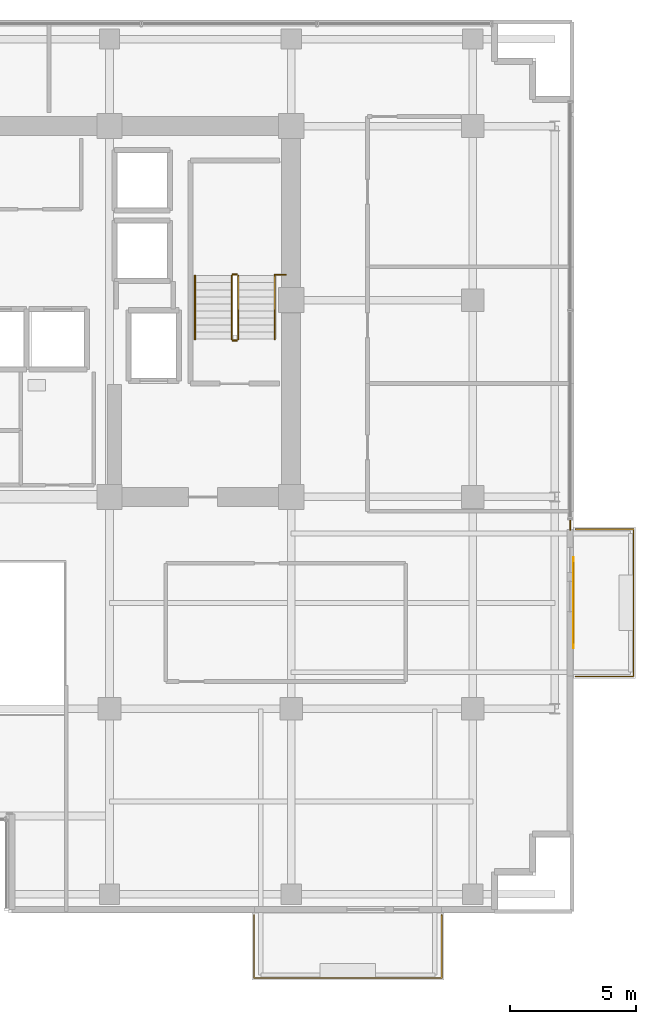
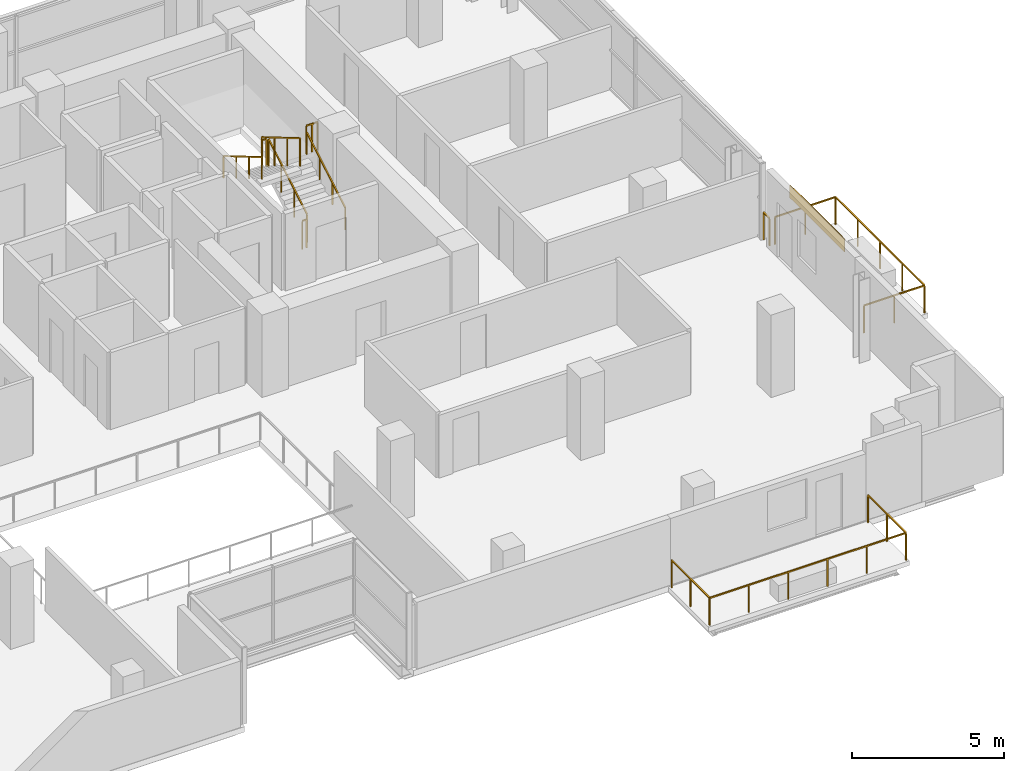
# One storey, part 24 of 25: 10 railings, 1 covering, 1 shading device.
"""IFC4 building model written with IfcOpenShell, lengths in metres."""

from ifc_helpers import new_model, si_unit, direction, frame, origin, origin_2d, place, context, subcontext, project, spatial, rectangle, extrude, source, transform, mapped, material, layer, layer_set, type_object, element, save


model = new_model("IFC4")

# Units and contexts
model_context = context("Model", 3, precision=1e-05, world=origin(), true_north=direction((0.0, 1.0)))
body_context = subcontext(model_context, "Body", "Model", "MODEL_VIEW")
ifc_project = project(units=[si_unit("LENGTHUNIT", "METRE"), si_unit("AREAUNIT", "SQUARE_METRE"), si_unit("VOLUMEUNIT", "CUBIC_METRE"), si_unit("PLANEANGLEUNIT", "RADIAN"), si_unit("MASSUNIT", "GRAM", prefix="KILO")], contexts=[model_context])

# Site, building, storey
site_placement = place(None, origin())
site = spatial("IfcSite", under=ifc_project, at=site_placement, CompositionType="ELEMENT")
building_placement = place(site_placement, origin())
building = spatial("IfcBuilding", under=site, at=building_placement, Name="Zarnakvel Exchange Tower", CompositionType="ELEMENT")
storey_placement = place(building_placement, frame((0.0, 0.0, 93.39990234375)))
storey = spatial("IfcBuildingStorey", under=building, at=storey_placement, Name="L25", CompositionType="ELEMENT", Elevation=93.39990234375)

# Railings
ifc_material_1 = material(Name="Architectural Bronze Anodised Aluminium", Category="aluminium")
railing_type_1 = type_object("IfcRailingType", Name="GR-02", PredefinedType="GUARDRAIL", material=ifc_material_1)
railing_1_placement = place(storey_placement, frame((12.929931640625, -17.780029296875, -0.034912109375)))
element("IfcRailing", 1, at=railing_1_placement, inside=storey, type_object=railing_type_1, Name="L25 Balcony Guardrail BAL-L25-SE", PredefinedType="GUARDRAIL", context=body_context, shape_type="SweptSolid", body=[
    extrude(rectangle(XDim=0.048095703125, YDim=0.048095703125, at=origin_2d()), frame((0.0, 0.0, 1.09619140625), z_axis=(0.0, -1.0, 0.0), x_axis=(1.0, 0.0, 0.0)), (0.0, 0.0, 1.0), 2.489990234375),
    extrude(rectangle(XDim=0.048095703125, YDim=0.048095703125, at=origin_2d()), frame((0.0, -2.489990234375, 1.09619140625), z_axis=(1.0, 0.0, 0.0), x_axis=(0.0, 1.0, 0.0)), (0.0, 0.0, 1.0), 7.440185546875),
    extrude(rectangle(XDim=0.048095703125, YDim=0.048095703125, at=origin_2d()), frame((7.440185546875, -2.489990234375, 1.09619140625), z_axis=(0.0, 1.0, 0.0), x_axis=(-1.0, 0.0, 0.0)), (0.0, 0.0, 1.0), 2.489990234375),
    extrude(rectangle(XDim=0.0419921875, YDim=0.0419921875, at=origin_2d()), origin(), (0.0, 0.0, 1.0), 1.072021484375),
    extrude(rectangle(XDim=0.0419921875, YDim=0.0419921875, at=origin_2d()), frame((0.0, -1.2451171875, 0.0)), (0.0, 0.0, 1.0), 1.072021484375),
    extrude(rectangle(XDim=0.0419921875, YDim=0.0419921875, at=origin_2d()), frame((0.0, -2.489990234375, 0.0)), (0.0, 0.0, 1.0), 1.072021484375),
    extrude(rectangle(XDim=0.0419921875, YDim=0.0419921875, at=origin_2d()), frame((1.488037109375, -2.489990234375, 0.0)), (0.0, 0.0, 1.0), 1.072021484375),
    extrude(rectangle(XDim=0.0419921875, YDim=0.0419921875, at=origin_2d()), frame((2.97607421875, -2.489990234375, 0.0)), (0.0, 0.0, 1.0), 1.072021484375),
    extrude(rectangle(XDim=0.0419921875, YDim=0.0419921875, at=origin_2d()), frame((4.464111328125, -2.489990234375, 0.0)), (0.0, 0.0, 1.0), 1.072021484375),
    extrude(rectangle(XDim=0.0419921875, YDim=0.0419921875, at=origin_2d()), frame((5.9521484375, -2.489990234375, 0.0)), (0.0, 0.0, 1.0), 1.072021484375),
    extrude(rectangle(XDim=0.0419921875, YDim=0.0419921875, at=origin_2d()), frame((7.440185546875, -2.489990234375, 0.0)), (0.0, 0.0, 1.0), 1.072021484375),
    extrude(rectangle(XDim=0.0419921875, YDim=0.0419921875, at=origin_2d()), frame((7.440185546875, -1.2451171875, 0.0)), (0.0, 0.0, 1.0), 1.072021484375),
    extrude(rectangle(XDim=0.0419921875, YDim=0.0419921875, at=origin_2d()), frame((7.440185546875, 0.0, 0.0)), (0.0, 0.0, 1.0), 1.072021484375),
])
railing_2_placement = place(storey_placement, frame((25.679931640625, -8.320068359375, -0.034912109375)))
element("IfcRailing", 2, at=railing_2_placement, inside=storey, type_object=railing_type_1, Name="L25 Balcony Guardrail BAL-L25-E", PredefinedType="GUARDRAIL", context=body_context, shape_type="SweptSolid", body=[
    extrude(rectangle(XDim=0.048095703125, YDim=0.048095703125, at=origin_2d()), frame((0.0, 0.0, 1.09619140625), z_axis=(1.0, 0.0, 0.0), x_axis=(0.0, 1.0, 0.0)), (0.0, 0.0, 1.0), 2.2900390625),
    extrude(rectangle(XDim=0.048095703125, YDim=0.048095703125, at=origin_2d()), frame((2.2900390625, 0.0, 1.09619140625), z_axis=(0.0, 1.0, 0.0), x_axis=(-1.0, 0.0, 0.0)), (0.0, 0.0, 1.0), 5.840087890625),
    extrude(rectangle(XDim=0.048095703125, YDim=0.048095703125, at=origin_2d()), frame((2.2900390625, 5.840087890625, 1.09619140625), z_axis=(-1.0, 0.0, 0.0), x_axis=(0.0, -1.0, 0.0)), (0.0, 0.0, 1.0), 2.2900390625),
    extrude(rectangle(XDim=0.0419921875, YDim=0.0419921875, at=origin_2d()), origin(), (0.0, 0.0, 1.0), 1.072021484375),
    extrude(rectangle(XDim=0.0419921875, YDim=0.0419921875, at=origin_2d()), frame((1.14501953125, 0.0, 0.0)), (0.0, 0.0, 1.0), 1.072021484375),
    extrude(rectangle(XDim=0.0419921875, YDim=0.0419921875, at=origin_2d()), frame((2.2900390625, 0.0, 0.0)), (0.0, 0.0, 1.0), 1.072021484375),
    extrude(rectangle(XDim=0.0419921875, YDim=0.0419921875, at=origin_2d()), frame((2.2900390625, 1.4599609375, 0.0)), (0.0, 0.0, 1.0), 1.072021484375),
    extrude(rectangle(XDim=0.0419921875, YDim=0.0419921875, at=origin_2d()), frame((2.2900390625, 2.919921875, 0.0)), (0.0, 0.0, 1.0), 1.072021484375),
    extrude(rectangle(XDim=0.0419921875, YDim=0.0419921875, at=origin_2d()), frame((2.2900390625, 4.380126953125, 0.0)), (0.0, 0.0, 1.0), 1.072021484375),
    extrude(rectangle(XDim=0.0419921875, YDim=0.0419921875, at=origin_2d()), frame((2.2900390625, 5.840087890625, 0.0)), (0.0, 0.0, 1.0), 1.072021484375),
    extrude(rectangle(XDim=0.0419921875, YDim=0.0419921875, at=origin_2d()), frame((1.14501953125, 5.840087890625, 0.0)), (0.0, 0.0, 1.0), 1.072021484375),
    extrude(rectangle(XDim=0.0419921875, YDim=0.0419921875, at=origin_2d()), frame((0.0, 5.840087890625, 0.0)), (0.0, 0.0, 1.0), 1.072021484375),
])
railing_3_placement = place(storey_placement, frame((25.4599609375, -2.10009765625, 0.0)))
element("IfcRailing", 3, at=railing_3_placement, inside=storey, type_object=railing_type_1, Name="L25 Corner Spandrel Balustrade #9", PredefinedType="GUARDRAIL", context=body_context, shape_type="SweptSolid", body=[
    extrude(rectangle(XDim=0.048095703125, YDim=0.048095703125, at=origin_2d()), frame((0.0, 0.0, 1.09619140625), z_axis=(0.0, -1.0, 0.0), x_axis=(1.0, 0.0, 0.0)), (0.0, 0.0, 1.0), 0.39990234375),
    extrude(rectangle(XDim=0.0419921875, YDim=0.0419921875, at=origin_2d()), origin(), (0.0, 0.0, 1.0), 1.072021484375),
    extrude(rectangle(XDim=0.0419921875, YDim=0.0419921875, at=origin_2d()), frame((0.0, -0.39990234375, 0.0)), (0.0, 0.0, 1.0), 1.072021484375),
])
ifc_material_2 = material(Name="Brushed Stainless Steel", Category="steel")
railing_type_2 = type_object("IfcRailingType", Name="HR-01", PredefinedType="HANDRAIL", material=ifc_material_2)
railing_4_placement = place(storey_placement, frame((13.75, 5.050048828125, 0.1650390625)))
element("IfcRailing", 4, at=railing_4_placement, inside=storey, type_object=railing_type_2, Name="L25 ST-02 stair handrail 1", PredefinedType="HANDRAIL", context=body_context, shape_type="SweptSolid", body=[
    extrude(rectangle(XDim=0.048095703125, YDim=0.048095703125, at=origin_2d()), frame((0.0, 0.0, 0.8759765625), z_axis=(0.0, 0.86152411907, 0.507716645641), x_axis=(-1.0, 0.0, 0.0)), (0.0, 0.0, 1.0), 2.925048828125),
    extrude(rectangle(XDim=0.0419921875, YDim=0.0419921875, at=origin_2d()), origin(), (0.0, 0.0, 1.0), 0.851806640625),
    extrude(rectangle(XDim=0.0419921875, YDim=0.0419921875, at=origin_2d()), frame((0.0, 0.840087890625, 0.4951171875)), (0.0, 0.0, 1.0), 0.851806640625),
    extrude(rectangle(XDim=0.0419921875, YDim=0.0419921875, at=origin_2d()), frame((0.0, 1.679931640625, 0.989990234375)), (0.0, 0.0, 1.0), 0.851806640625),
    extrude(rectangle(XDim=0.0419921875, YDim=0.0419921875, at=origin_2d()), frame((0.0, 2.52001953125, 1.485107421875)), (0.0, 0.0, 1.0), 0.851806640625),
])
railing_5_placement = place(storey_placement, frame((10.590087890625, 7.570068359375, 1.815185546875)))
element("IfcRailing", 5, at=railing_5_placement, inside=storey, type_object=railing_type_2, Name="L25 ST-02 stair handrail 2", PredefinedType="HANDRAIL", context=body_context, shape_type="SweptSolid", body=[
    extrude(rectangle(XDim=0.048095703125, YDim=0.048095703125, at=origin_2d()), frame((0.0, 0.0, 0.8759765625), z_axis=(0.0, -0.861560626758, 0.507654692109), x_axis=(1.0, 0.0, 0.0)), (0.0, 0.0, 1.0), 2.925048828125),
    extrude(rectangle(XDim=0.0419921875, YDim=0.0419921875, at=origin_2d()), origin(), (0.0, 0.0, 1.0), 0.851806640625),
    extrude(rectangle(XDim=0.0419921875, YDim=0.0419921875, at=origin_2d()), frame((0.0, -0.840087890625, 0.494873046875)), (0.0, 0.0, 1.0), 0.851806640625),
    extrude(rectangle(XDim=0.0419921875, YDim=0.0419921875, at=origin_2d()), frame((0.0, -1.679931640625, 0.989990234375)), (0.0, 0.0, 1.0), 0.851806640625),
    extrude(rectangle(XDim=0.0419921875, YDim=0.0419921875, at=origin_2d()), frame((0.0, -2.52001953125, 1.48486328125)), (0.0, 0.0, 1.0), 0.851806640625),
])
railing_type_3 = type_object("IfcRailingType", Name="SG-01", PredefinedType="GUARDRAIL", material=ifc_material_1)
railing_6_placement = place(storey_placement, frame((12.300048828125, 5.050048828125, 0.1650390625)))
element("IfcRailing", 6, at=railing_6_placement, inside=storey, type_object=railing_type_3, Name="L25 ST-02 stair guard 1", PredefinedType="GUARDRAIL", context=body_context, shape_type="SweptSolid", body=[
    extrude(rectangle(XDim=0.048095703125, YDim=0.048095703125, at=origin_2d()), frame((0.0, 0.0, 1.1259765625), z_axis=(0.0, 0.86152411907, 0.507716645641), x_axis=(-1.0, 0.0, 0.0)), (0.0, 0.0, 1.0), 2.925048828125),
    extrude(rectangle(XDim=0.0419921875, YDim=0.0419921875, at=origin_2d()), origin(), (0.0, 0.0, 1.0), 1.101806640625),
    extrude(rectangle(XDim=0.0419921875, YDim=0.0419921875, at=origin_2d()), frame((0.0, 0.840087890625, 0.4951171875)), (0.0, 0.0, 1.0), 1.101806640625),
    extrude(rectangle(XDim=0.0419921875, YDim=0.0419921875, at=origin_2d()), frame((0.0, 1.679931640625, 0.989990234375)), (0.0, 0.0, 1.0), 1.101806640625),
    extrude(rectangle(XDim=0.0419921875, YDim=0.0419921875, at=origin_2d()), frame((0.0, 2.52001953125, 1.485107421875)), (0.0, 0.0, 1.0), 1.101806640625),
])
railing_7_placement = place(storey_placement, frame((12.25, 7.6201171875, 1.650146484375)))
element("IfcRailing", 7, at=railing_7_placement, inside=storey, type_object=railing_type_3, Name="L25 ST-02 stair guard 2", PredefinedType="GUARDRAIL", context=body_context, shape_type="SweptSolid", body=[
    extrude(rectangle(XDim=0.048095703125, YDim=0.048095703125, at=origin_2d()), frame((0.0, 0.0, 1.1259765625), z_axis=(-1.0, 0.0, 0.0), x_axis=(0.0, -1.0, 0.0)), (0.0, 0.0, 1.0), 0.159912109375),
    extrude(rectangle(XDim=0.0419921875, YDim=0.0419921875, at=origin_2d()), origin(), (0.0, 0.0, 1.0), 1.101806640625),
    extrude(rectangle(XDim=0.0419921875, YDim=0.0419921875, at=origin_2d()), frame((-0.159912109375, 0.0, 0.0)), (0.0, 0.0, 1.0), 1.101806640625),
])
railing_8_placement = place(storey_placement, frame((12.0400390625, 7.570068359375, 1.815185546875)))
element("IfcRailing", 8, at=railing_8_placement, inside=storey, type_object=railing_type_3, Name="L25 ST-02 stair guard 3", PredefinedType="GUARDRAIL", context=body_context, shape_type="SweptSolid", body=[
    extrude(rectangle(XDim=0.048095703125, YDim=0.048095703125, at=origin_2d()), frame((0.0, 0.0, 1.1259765625), z_axis=(0.0, -0.861560626758, 0.507654692109), x_axis=(1.0, 0.0, 0.0)), (0.0, 0.0, 1.0), 2.925048828125),
    extrude(rectangle(XDim=0.0419921875, YDim=0.0419921875, at=origin_2d()), origin(), (0.0, 0.0, 1.0), 1.101806640625),
    extrude(rectangle(XDim=0.0419921875, YDim=0.0419921875, at=origin_2d()), frame((0.0, -0.840087890625, 0.494873046875)), (0.0, 0.0, 1.0), 1.101806640625),
    extrude(rectangle(XDim=0.0419921875, YDim=0.0419921875, at=origin_2d()), frame((0.0, -1.679931640625, 0.989990234375)), (0.0, 0.0, 1.0), 1.101806640625),
    extrude(rectangle(XDim=0.0419921875, YDim=0.0419921875, at=origin_2d()), frame((0.0, -2.52001953125, 1.48486328125)), (0.0, 0.0, 1.0), 1.101806640625),
])
railing_9_placement = place(storey_placement, frame((12.25, 5.0, 0.0)))
element("IfcRailing", 9, at=railing_9_placement, inside=storey, type_object=railing_type_3, Name="L25 ST-02 stair guard 4", PredefinedType="GUARDRAIL", context=body_context, shape_type="SweptSolid", body=[
    extrude(rectangle(XDim=0.048095703125, YDim=0.048095703125, at=origin_2d()), frame((0.0, 0.0, 1.1259765625), z_axis=(-1.0, 0.0, 0.0), x_axis=(0.0, -1.0, 0.0)), (0.0, 0.0, 1.0), 0.159912109375),
    extrude(rectangle(XDim=0.0419921875, YDim=0.0419921875, at=origin_2d()), origin(), (0.0, 0.0, 1.0), 1.101806640625),
    extrude(rectangle(XDim=0.0419921875, YDim=0.0419921875, at=origin_2d()), frame((-0.159912109375, 0.0, 0.0)), (0.0, 0.0, 1.0), 1.101806640625),
])
railing_10_placement = place(storey_placement, frame((13.75, 7.610107421875, 1.650146484375)))
element("IfcRailing", 10, at=railing_10_placement, inside=storey, type_object=railing_type_3, Name="L25 ST-02 Landing Slot Guardrail", PredefinedType="GUARDRAIL", context=body_context, shape_type="SweptSolid", body=[
    extrude(rectangle(XDim=0.048095703125, YDim=0.048095703125, at=origin_2d()), frame((0.0, 0.0, 1.1259765625), z_axis=(1.0, 0.0, 0.0), x_axis=(0.0, 1.0, 0.0)), (0.0, 0.0, 1.0), 0.429931640625),
    extrude(rectangle(XDim=0.0419921875, YDim=0.0419921875, at=origin_2d()), origin(), (0.0, 0.0, 1.0), 1.101806640625),
    extrude(rectangle(XDim=0.0419921875, YDim=0.0419921875, at=origin_2d()), frame((0.21484375, 0.0, 0.0)), (0.0, 0.0, 1.0), 1.101806640625),
    extrude(rectangle(XDim=0.0419921875, YDim=0.0419921875, at=origin_2d()), frame((0.429931640625, 0.0, 0.0)), (0.0, 0.0, 1.0), 1.101806640625),
])

# Covering
ifc_material_3 = material(Name="Warm Sandstone Terracotta Spandrel Tile", Category="masonry")
ifc_layer_1 = layer(ifc_material_3, 0.031982421875)
ifc_layer_set_1 = layer_set([ifc_layer_1], Name="Warm Sandstone Terracotta Spandrel Tile")
covering_type = type_object("IfcCoveringType", Name="CL-02", PredefinedType="CLADDING", material=ifc_layer_set_1)
shared_shape_1 = source(origin(), body_context, "Body", "SweptSolid", [
    extrude(rectangle(XDim=3.60009765625, YDim=0.031982421875, at=origin_2d()), origin(), (0.0, 0.0, 1.0), 0.4951171875),
])
covering_placement = place(storey_placement, frame((25.593994140625, -5.39990234375, 2.56005859375), z_axis=(0.0, 0.0, 1.0), x_axis=(0.0, -1.0, 0.0)))
element("IfcCovering", 11, at=covering_placement, inside=storey, type_object=covering_type, Name="L25 Ceramic Spandrel Tilework CL-02", PredefinedType="CLADDING", context=body_context, shape_type="MappedRepresentation", body=[
    mapped(shared_shape_1, transform((0.0, 0.0, 0.0), x_axis=(1.0, 0.0, 0.0), y_axis=(0.0, 1.0, 0.0), z_axis=(0.0, 0.0, 1.0), scale=1.0)),
])

# Shading device
ifc_material_4 = material(Name="Perforated Architectural Bronze Screen", Category="aluminium")
ifc_layer_2 = layer(ifc_material_4, 0.044921875)
ifc_layer_set_2 = layer_set([ifc_layer_2], Name="Perforated Architectural Bronze Screen")
shading_device_type = type_object("IfcShadingDeviceType", Name="SS-01", PredefinedType="JALOUSIE", material=ifc_layer_set_2)
shared_shape_2 = source(origin(), body_context, "Body", "SweptSolid", [
    extrude(rectangle(XDim=3.199951171875, YDim=0.044921875, at=origin_2d()), origin(), (0.0, 0.0, 1.0), 0.4951171875),
])
shading_device_placement = place(storey_placement, frame((25.6005859375, -5.39990234375, 2.56005859375), z_axis=(0.0, 0.0, 1.0), x_axis=(0.0, -1.0, 0.0)))
element("IfcShadingDevice", 12, at=shading_device_placement, inside=storey, type_object=shading_device_type, Name="L25 Bronze Solar Shading Screen SS-01", PredefinedType="JALOUSIE", context=body_context, shape_type="MappedRepresentation", body=[
    mapped(shared_shape_2, transform((0.0, 0.0, 0.0), x_axis=(1.0, 0.0, 0.0), y_axis=(0.0, 1.0, 0.0), z_axis=(0.0, 0.0, 1.0), scale=1.0)),
])

save(model, "model.ifc")
